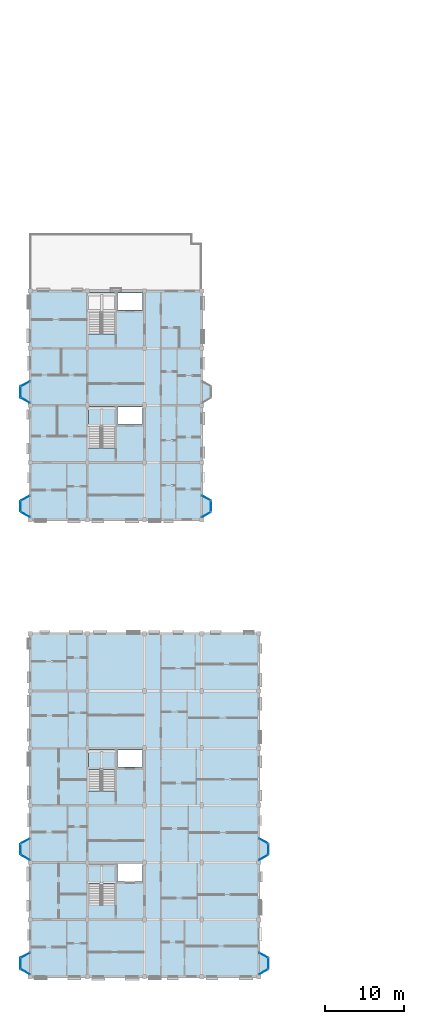
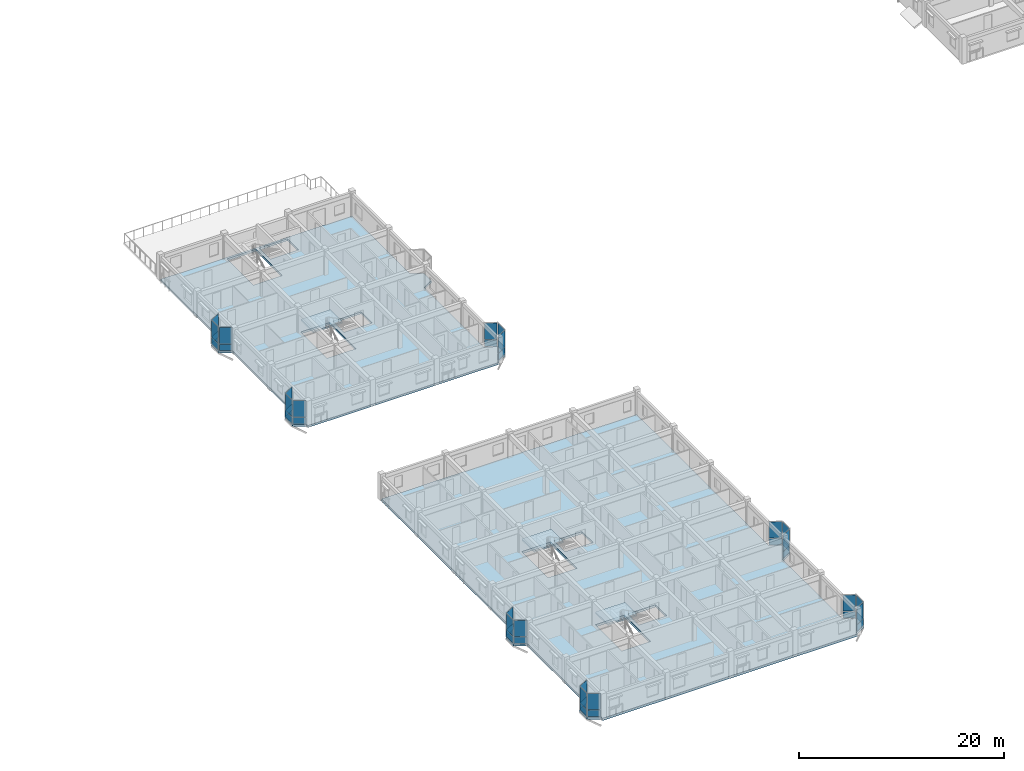
# One storey, part 41 of 75: 42 plates, 5 slabs, 24 elements without a shape of their own.
"""IFC4 building model written with IfcOpenShell, lengths in metres."""

from ifc_helpers import new_model, si_unit, direction, frame, origin, origin_2d, place, context, subcontext, project, spatial, polyline, rectangle, outline, extrude, material, layer, layer_set, type_object, element, aggregate, save


model = new_model("IFC4")

# Units and contexts
model_context = context("Model", 3, precision=1e-05, world=origin(), true_north=direction((0.0, 1.0)))
body_context = subcontext(model_context, "Body", "Model", "MODEL_VIEW")
ifc_project = project(units=[si_unit("LENGTHUNIT", "METRE"), si_unit("AREAUNIT", "SQUARE_METRE"), si_unit("VOLUMEUNIT", "CUBIC_METRE"), si_unit("PLANEANGLEUNIT", "RADIAN"), si_unit("MASSUNIT", "GRAM", prefix="KILO"), si_unit("THERMODYNAMICTEMPERATUREUNIT", "KELVIN"), si_unit("POWERUNIT", "WATT")], contexts=[model_context])

# Site, building, storey
site_placement = place(None, origin())
site = spatial("IfcSite", under=ifc_project, at=site_placement, CompositionType="ELEMENT")
building_placement = place(site_placement, origin())
building = spatial("IfcBuilding", under=site, at=building_placement, Name="Tavuni Mirador Residences", CompositionType="ELEMENT")
storey_placement = place(building_placement, frame((0.0, 0.0, 20.25)))
storey = spatial("IfcBuildingStorey", under=building, at=storey_placement, Name="L06", CompositionType="ELEMENT", Elevation=20.25)

# Curtain wall, plate
ifc_material_1 = material(Name="Anodised aluminium", Category="aluminium")
ifc_layer_1 = layer(ifc_material_1, 0.1650390625, Name="Anodised aluminium", Category="aluminium")
ifc_layer_set_1 = layer_set([ifc_layer_1], Name="Anodised aluminium")
curtain_wall_type_1 = type_object("IfcCurtainWallType", Name="CWT-MIR-A", PredefinedType="NOTDEFINED", material=ifc_layer_set_1)
curtain_wall_1_placement = place(storey_placement, origin())
curtain_wall_1 = element("IfcCurtainWall", 1, at=curtain_wall_1_placement, inside=storey, type_object=curtain_wall_type_1, Name="CW-MIR-A-E2-L06-M1", PredefinedType="NOTDEFINED")
ifc_material_2 = material(Name="Laminated solar-control glass", Category="glass")
ifc_layer_2 = layer(ifc_material_2, 0.02392578125, Name="Laminated solar-control glass", Category="glass")
ifc_layer_set_2 = layer_set([ifc_layer_2], Name="Laminated solar-control glass")
plate_type_1 = type_object("IfcPlateType", Name="CWP-GL24", PredefinedType="CURTAIN_PANEL", material=ifc_layer_set_2)
plate_1_placement = place(storey_placement, frame((33.0, 22.217529296875, 0.8798828125), z_axis=(0.0, 0.0, 1.0), x_axis=(0.868465738194, 0.495749192217, 0.0)))
plate_1 = element("IfcPlate", 2, at=plate_1_placement, type_object=plate_type_1, Name="CW-01 panel 1.2", PredefinedType="CURTAIN_PANEL", context=body_context, shape_type="SweptSolid", body=[
    extrude(rectangle(XDim=1.26171875, YDim=0.02392578125, at=origin_2d()), origin(), (0.0, 0.0, 1.0), 1.929931640625),
])

curtain_wall_2_placement = place(storey_placement, origin())
curtain_wall_2 = element("IfcCurtainWall", 3, at=curtain_wall_2_placement, inside=storey, type_object=curtain_wall_type_1, Name="CW-MIR-A-W2-L06-MF", PredefinedType="NOTDEFINED")
plate_2_placement = place(storey_placement, frame((2.39990234375, 23.27001953125, 0.8798828125), z_axis=(0.0, 0.0, 1.0), x_axis=(0.0, -1.0, 0.0)))
plate_2 = element("IfcPlate", 4, at=plate_2_placement, type_object=plate_type_1, Name="CW-01 panel 1.2", PredefinedType="CURTAIN_PANEL", context=body_context, shape_type="SweptSolid", body=[
    extrude(rectangle(XDim=1.300048828125, YDim=0.02392578125, at=origin_2d()), origin(), (0.0, 0.0, 1.0), 1.929931640625),
])

curtain_wall_3_placement = place(storey_placement, origin())
curtain_wall_3 = element("IfcCurtainWall", 5, at=curtain_wall_3_placement, inside=storey, type_object=curtain_wall_type_1, Name="CW-MIR-A-W1-L06-M2", PredefinedType="NOTDEFINED")
plate_3_placement = place(storey_placement, frame((3.0, 7.8173828125, 0.8798828125), z_axis=(0.0, 0.0, 1.0), x_axis=(0.868465738194, -0.495749192217, 0.0)))
plate_3 = element("IfcPlate", 6, at=plate_3_placement, type_object=plate_type_1, Name="CW-01 panel 1.2", PredefinedType="CURTAIN_PANEL", context=body_context, shape_type="SweptSolid", body=[
    extrude(rectangle(XDim=1.26171875, YDim=0.02392578125, at=origin_2d()), origin(), (0.0, 0.0, 1.0), 1.929931640625),
])

curtain_wall_4_placement = place(storey_placement, origin())
curtain_wall_4 = element("IfcCurtainWall", 7, at=curtain_wall_4_placement, inside=storey, type_object=curtain_wall_type_1, Name="CW-MIR-B-E1-L06-M1", PredefinedType="NOTDEFINED")
plate_4_placement = place(storey_placement, frame((25.800048828125, 65.41748046875, 0.8798828125), z_axis=(0.0, 0.0, 1.0), x_axis=(0.868465738194, 0.495749192217, 0.0)))
plate_4 = element("IfcPlate", 8, at=plate_4_placement, type_object=plate_type_1, Name="CW-01 panel 1.2", PredefinedType="CURTAIN_PANEL", context=body_context, shape_type="SweptSolid", body=[
    extrude(rectangle(XDim=1.26171875, YDim=0.02392578125, at=origin_2d()), origin(), (0.0, 0.0, 1.0), 1.969970703125),
])

curtain_wall_5_placement = place(storey_placement, origin())
curtain_wall_5 = element("IfcCurtainWall", 9, at=curtain_wall_5_placement, inside=storey, type_object=curtain_wall_type_1, Name="CW-MIR-B-W2-L06-M2", PredefinedType="NOTDEFINED")
plate_5_placement = place(storey_placement, frame((3.0, 79.8173828125, 0.8798828125), z_axis=(0.0, 0.0, 1.0), x_axis=(0.868465738194, -0.495749192217, 0.0)))
plate_5 = element("IfcPlate", 10, at=plate_5_placement, type_object=plate_type_1, Name="CW-01 panel 1.2", PredefinedType="CURTAIN_PANEL", context=body_context, shape_type="SweptSolid", body=[
    extrude(rectangle(XDim=1.26171875, YDim=0.02392578125, at=origin_2d()), origin(), (0.0, 0.0, 1.0), 1.969970703125),
])

ifc_layer_3 = layer(ifc_material_1, 0.14990234375, Name="Anodised aluminium", Category="aluminium")
ifc_layer_set_3 = layer_set([ifc_layer_3], Name="Anodised aluminium")
curtain_wall_type_2 = type_object("IfcCurtainWallType", Name="CWT-MIR-B", PredefinedType="NOTDEFINED", material=ifc_layer_set_3)
curtain_wall_6_placement = place(storey_placement, origin())
curtain_wall_6 = element("IfcCurtainWall", 11, at=curtain_wall_6_placement, inside=storey, type_object=curtain_wall_type_2, Name="CW-MIR-A-E1-L06-M1", PredefinedType="NOTDEFINED")
ifc_layer_4 = layer(ifc_material_2, 0.028076171875, Name="Laminated solar-control glass", Category="glass")
ifc_layer_set_4 = layer_set([ifc_layer_4], Name="Laminated solar-control glass")
plate_type_2 = type_object("IfcPlateType", Name="CWP-GL28", PredefinedType="CURTAIN_PANEL", material=ifc_layer_set_4)
plate_6_placement = place(storey_placement, frame((33.0, 7.8173828125, 0.88232421875), z_axis=(0.0, 0.0, 1.0), x_axis=(0.868465738194, 0.495749192217, 0.0)))
plate_6 = element("IfcPlate", 12, at=plate_6_placement, type_object=plate_type_2, Name="CW-02 panel 1.2", PredefinedType="CURTAIN_PANEL", context=body_context, shape_type="SweptSolid", body=[
    extrude(rectangle(XDim=1.251708984375, YDim=0.028076171875, at=origin_2d()), origin(), (0.0, 0.0, 1.0), 1.922607421875),
])

curtain_wall_7_placement = place(storey_placement, origin())
curtain_wall_7 = element("IfcCurtainWall", 13, at=curtain_wall_7_placement, inside=storey, type_object=curtain_wall_type_2, Name="CW-MIR-A-E2-L06-MF", PredefinedType="NOTDEFINED")
plate_7_placement = place(storey_placement, frame((33.60009765625, 23.27001953125, 0.88232421875), z_axis=(0.0, 0.0, 1.0), x_axis=(0.0, 1.0, 0.0)))
plate_7 = element("IfcPlate", 14, at=plate_7_placement, type_object=plate_type_2, Name="CW-02 panel 1.2", PredefinedType="CURTAIN_PANEL", context=body_context, shape_type="SweptSolid", body=[
    extrude(rectangle(XDim=1.2900390625, YDim=0.028076171875, at=origin_2d()), origin(), (0.0, 0.0, 1.0), 1.922607421875),
])

curtain_wall_8_placement = place(storey_placement, origin())
curtain_wall_8 = element("IfcCurtainWall", 15, at=curtain_wall_8_placement, inside=storey, type_object=curtain_wall_type_2, Name="CW-MIR-A-W2-L06-M2", PredefinedType="NOTDEFINED")
plate_8_placement = place(storey_placement, frame((3.0, 22.217529296875, 0.88232421875), z_axis=(0.0, 0.0, 1.0), x_axis=(0.868465738194, -0.495749192217, 0.0)))
plate_8 = element("IfcPlate", 16, at=plate_8_placement, type_object=plate_type_2, Name="CW-02 panel 1.2", PredefinedType="CURTAIN_PANEL", context=body_context, shape_type="SweptSolid", body=[
    extrude(rectangle(XDim=1.251708984375, YDim=0.028076171875, at=origin_2d()), origin(), (0.0, 0.0, 1.0), 1.922607421875),
])

curtain_wall_9_placement = place(storey_placement, origin())
curtain_wall_9 = element("IfcCurtainWall", 17, at=curtain_wall_9_placement, inside=storey, type_object=curtain_wall_type_2, Name="CW-MIR-B-E1-L06-MF", PredefinedType="NOTDEFINED")
plate_9_placement = place(storey_placement, frame((26.39990234375, 66.469970703125, 0.882568359375), z_axis=(0.0, 0.0, 1.0), x_axis=(0.0, 1.0, 0.0)))
plate_9 = element("IfcPlate", 18, at=plate_9_placement, type_object=plate_type_2, Name="CW-02 panel 1.2", PredefinedType="CURTAIN_PANEL", context=body_context, shape_type="SweptSolid", body=[
    extrude(rectangle(XDim=1.2900390625, YDim=0.028076171875, at=origin_2d()), origin(), (0.0, 0.0, 1.0), 1.96240234375),
])

curtain_wall_10_placement = place(storey_placement, origin())
curtain_wall_10 = element("IfcCurtainWall", 19, at=curtain_wall_10_placement, inside=storey, type_object=curtain_wall_type_2, Name="CW-MIR-B-W1-L06-M1", PredefinedType="NOTDEFINED")
plate_10_placement = place(storey_placement, frame((3.0, 67.5, 0.882568359375), z_axis=(0.0, 0.0, 1.0), x_axis=(-0.882352941175, -0.470588235296, 0.0)))
plate_10 = element("IfcPlate", 20, at=plate_10_placement, type_object=plate_type_2, Name="CW-02 panel 1.2", PredefinedType="CURTAIN_PANEL", context=body_context, shape_type="SweptSolid", body=[
    extrude(rectangle(XDim=1.22998046875, YDim=0.028076171875, at=origin_2d()), origin(), (0.0, 0.0, 1.0), 1.96240234375),
])

ifc_layer_5 = layer(ifc_material_1, 0.175048828125, Name="Anodised aluminium", Category="aluminium")
ifc_layer_set_5 = layer_set([ifc_layer_5], Name="Anodised aluminium")
curtain_wall_type_3 = type_object("IfcCurtainWallType", Name="CWT-MIR-C", PredefinedType="NOTDEFINED", material=ifc_layer_set_5)
curtain_wall_11_placement = place(storey_placement, origin())
curtain_wall_11 = element("IfcCurtainWall", 21, at=curtain_wall_11_placement, inside=storey, type_object=curtain_wall_type_3, Name="CW-MIR-A-E1-L06-MF", PredefinedType="NOTDEFINED")
ifc_layer_6 = layer(ifc_material_2, 0.031982421875, Name="Laminated solar-control glass", Category="glass")
ifc_layer_set_6 = layer_set([ifc_layer_6], Name="Laminated solar-control glass")
plate_type_3 = type_object("IfcPlateType", Name="CWP-GL32", PredefinedType="CURTAIN_PANEL", material=ifc_layer_set_6)
plate_11_placement = place(storey_placement, frame((33.60009765625, 8.8701171875, 0.8798828125), z_axis=(0.0, 0.0, 1.0), x_axis=(0.0, 1.0, 0.0)))
plate_11 = element("IfcPlate", 22, at=plate_11_placement, type_object=plate_type_3, Name="CW-03 panel 1.2", PredefinedType="CURTAIN_PANEL", context=body_context, shape_type="SweptSolid", body=[
    extrude(rectangle(XDim=1.300048828125, YDim=0.031982421875, at=origin_2d()), origin(), (0.0, 0.0, 1.0), 1.929931640625),
])

curtain_wall_12_placement = place(storey_placement, origin())
curtain_wall_12 = element("IfcCurtainWall", 23, at=curtain_wall_12_placement, inside=storey, type_object=curtain_wall_type_3, Name="CW-MIR-A-E2-L06-M2", PredefinedType="NOTDEFINED")
plate_12_placement = place(storey_placement, frame((33.0, 24.300048828125, 0.8798828125), z_axis=(0.0, 0.0, 1.0), x_axis=(-0.882352941175, 0.470588235296, 0.0)))
plate_12 = element("IfcPlate", 24, at=plate_12_placement, type_object=plate_type_3, Name="CW-03 panel 1.2", PredefinedType="CURTAIN_PANEL", context=body_context, shape_type="SweptSolid", body=[
    extrude(rectangle(XDim=1.239990234375, YDim=0.031982421875, at=origin_2d()), origin(), (0.0, 0.0, 1.0), 1.929931640625),
])

curtain_wall_13_placement = place(storey_placement, origin())
curtain_wall_13 = element("IfcCurtainWall", 25, at=curtain_wall_13_placement, inside=storey, type_object=curtain_wall_type_3, Name="CW-MIR-A-W1-L06-M1", PredefinedType="NOTDEFINED")
plate_13_placement = place(storey_placement, frame((3.0, 9.89990234375, 0.8798828125), z_axis=(0.0, 0.0, 1.0), x_axis=(-0.882352941175, -0.470588235296, 0.0)))
plate_13 = element("IfcPlate", 26, at=plate_13_placement, type_object=plate_type_3, Name="CW-03 panel 1.2", PredefinedType="CURTAIN_PANEL", context=body_context, shape_type="SweptSolid", body=[
    extrude(rectangle(XDim=1.239990234375, YDim=0.031982421875, at=origin_2d()), origin(), (0.0, 0.0, 1.0), 1.929931640625),
])

curtain_wall_14_placement = place(storey_placement, origin())
curtain_wall_14 = element("IfcCurtainWall", 27, at=curtain_wall_14_placement, inside=storey, type_object=curtain_wall_type_3, Name="CW-MIR-B-E1-L06-M2", PredefinedType="NOTDEFINED")
plate_14_placement = place(storey_placement, frame((25.800048828125, 67.5, 0.8798828125), z_axis=(0.0, 0.0, 1.0), x_axis=(-0.882352941175, 0.470588235296, 0.0)))
plate_14 = element("IfcPlate", 28, at=plate_14_placement, type_object=plate_type_3, Name="CW-03 panel 1.2", PredefinedType="CURTAIN_PANEL", context=body_context, shape_type="SweptSolid", body=[
    extrude(rectangle(XDim=1.239990234375, YDim=0.031982421875, at=origin_2d()), origin(), (0.0, 0.0, 1.0), 1.969970703125),
])

curtain_wall_15_placement = place(storey_placement, origin())
curtain_wall_15 = element("IfcCurtainWall", 29, at=curtain_wall_15_placement, inside=storey, type_object=curtain_wall_type_3, Name="CW-MIR-B-W2-L06-M1", PredefinedType="NOTDEFINED")
plate_15_placement = place(storey_placement, frame((3.0, 81.89990234375, 0.8798828125), z_axis=(0.0, 0.0, 1.0), x_axis=(-0.882352941175, -0.470588235296, 0.0)))
plate_15 = element("IfcPlate", 30, at=plate_15_placement, type_object=plate_type_3, Name="CW-03 panel 1.2", PredefinedType="CURTAIN_PANEL", context=body_context, shape_type="SweptSolid", body=[
    extrude(rectangle(XDim=1.239990234375, YDim=0.031982421875, at=origin_2d()), origin(), (0.0, 0.0, 1.0), 1.969970703125),
])

curtain_wall_16_placement = place(storey_placement, origin())
curtain_wall_16 = element("IfcCurtainWall", 31, at=curtain_wall_16_placement, inside=storey, type_object=curtain_wall_type_3, Name="CW-MIR-B-W1-L06-MF", PredefinedType="NOTDEFINED")
plate_16_placement = place(storey_placement, frame((2.39990234375, 66.469970703125, 0.8798828125), z_axis=(0.0, 0.0, 1.0), x_axis=(0.0, -1.0, 0.0)))
plate_16 = element("IfcPlate", 32, at=plate_16_placement, type_object=plate_type_3, Name="CW-03 panel 1.2", PredefinedType="CURTAIN_PANEL", context=body_context, shape_type="SweptSolid", body=[
    extrude(rectangle(XDim=1.300048828125, YDim=0.031982421875, at=origin_2d()), origin(), (0.0, 0.0, 1.0), 1.969970703125),
])

ifc_layer_7 = layer(ifc_material_1, 0.159912109375, Name="Anodised aluminium", Category="aluminium")
ifc_layer_set_7 = layer_set([ifc_layer_7], Name="Anodised aluminium")
curtain_wall_type_4 = type_object("IfcCurtainWallType", Name="CWT-MIR-D", PredefinedType="NOTDEFINED", material=ifc_layer_set_7)
curtain_wall_17_placement = place(storey_placement, origin())
curtain_wall_17 = element("IfcCurtainWall", 33, at=curtain_wall_17_placement, inside=storey, type_object=curtain_wall_type_4, Name="CW-MIR-A-E1-L06-M2", PredefinedType="NOTDEFINED")
ifc_layer_8 = layer(ifc_material_2, 0.035888671875, Name="Laminated solar-control glass", Category="glass")
ifc_layer_set_8 = layer_set([ifc_layer_8], Name="Laminated solar-control glass")
plate_type_4 = type_object("IfcPlateType", Name="CWP-GL36", PredefinedType="CURTAIN_PANEL", material=ifc_layer_set_8)
plate_17_placement = place(storey_placement, frame((33.0, 9.89990234375, 0.88232421875), z_axis=(0.0, 0.0, 1.0), x_axis=(-0.882352941175, 0.470588235296, 0.0)))
plate_17 = element("IfcPlate", 34, at=plate_17_placement, type_object=plate_type_4, Name="CW-04 panel 1.2", PredefinedType="CURTAIN_PANEL", context=body_context, shape_type="SweptSolid", body=[
    extrude(rectangle(XDim=1.22998046875, YDim=0.035888671875, at=origin_2d()), origin(), (0.0, 0.0, 1.0), 1.922607421875),
])

curtain_wall_18_placement = place(storey_placement, origin())
curtain_wall_18 = element("IfcCurtainWall", 35, at=curtain_wall_18_placement, inside=storey, type_object=curtain_wall_type_4, Name="CW-MIR-A-W2-L06-M1", PredefinedType="NOTDEFINED")
plate_18_placement = place(storey_placement, frame((3.0, 24.300048828125, 0.88232421875), z_axis=(0.0, 0.0, 1.0), x_axis=(-0.882352941175, -0.470588235296, 0.0)))
plate_18 = element("IfcPlate", 36, at=plate_18_placement, type_object=plate_type_4, Name="CW-04 panel 1.2", PredefinedType="CURTAIN_PANEL", context=body_context, shape_type="SweptSolid", body=[
    extrude(rectangle(XDim=1.22998046875, YDim=0.035888671875, at=origin_2d()), origin(), (0.0, 0.0, 1.0), 1.922607421875),
])

curtain_wall_19_placement = place(storey_placement, origin())
curtain_wall_19 = element("IfcCurtainWall", 37, at=curtain_wall_19_placement, inside=storey, type_object=curtain_wall_type_4, Name="CW-MIR-A-W1-L06-MF", PredefinedType="NOTDEFINED")
plate_19_placement = place(storey_placement, frame((2.39990234375, 8.8701171875, 0.88232421875), z_axis=(0.0, 0.0, 1.0), x_axis=(0.0, -1.0, 0.0)))
plate_19 = element("IfcPlate", 38, at=plate_19_placement, type_object=plate_type_4, Name="CW-04 panel 1.2", PredefinedType="CURTAIN_PANEL", context=body_context, shape_type="SweptSolid", body=[
    extrude(rectangle(XDim=1.2900390625, YDim=0.035888671875, at=origin_2d()), origin(), (0.0, 0.0, 1.0), 1.922607421875),
])

curtain_wall_20_placement = place(storey_placement, origin())
curtain_wall_20 = element("IfcCurtainWall", 39, at=curtain_wall_20_placement, inside=storey, type_object=curtain_wall_type_4, Name="CW-MIR-B-W2-L06-MF", PredefinedType="NOTDEFINED")
plate_20_placement = place(storey_placement, frame((2.39990234375, 80.8701171875, 0.882568359375), z_axis=(0.0, 0.0, 1.0), x_axis=(0.0, -1.0, 0.0)))
plate_20 = element("IfcPlate", 40, at=plate_20_placement, type_object=plate_type_4, Name="CW-04 panel 1.2", PredefinedType="CURTAIN_PANEL", context=body_context, shape_type="SweptSolid", body=[
    extrude(rectangle(XDim=1.2900390625, YDim=0.035888671875, at=origin_2d()), origin(), (0.0, 0.0, 1.0), 1.96240234375),
])

curtain_wall_21_placement = place(storey_placement, origin())
curtain_wall_21 = element("IfcCurtainWall", 41, at=curtain_wall_21_placement, inside=storey, type_object=curtain_wall_type_4, Name="CW-MIR-B-W1-L06-M2", PredefinedType="NOTDEFINED")
plate_21_placement = place(storey_placement, frame((3.0, 65.41748046875, 0.882568359375), z_axis=(0.0, 0.0, 1.0), x_axis=(0.868465738194, -0.495749192217, 0.0)))
plate_21 = element("IfcPlate", 42, at=plate_21_placement, type_object=plate_type_4, Name="CW-04 panel 1.2", PredefinedType="CURTAIN_PANEL", context=body_context, shape_type="SweptSolid", body=[
    extrude(rectangle(XDim=1.251708984375, YDim=0.035888671875, at=origin_2d()), origin(), (0.0, 0.0, 1.0), 1.96240234375),
])

# Plate
ifc_material_3 = material(Name="Ceramic trencadis mosaic panel", Category="masonry")
ifc_layer_9 = layer(ifc_material_3, 0.0419921875, Name="Ceramic trencadis mosaic panel", Category="masonry")
ifc_layer_set_9 = layer_set([ifc_layer_9], Name="Ceramic trencadis mosaic panel")
plate_type_5 = type_object("IfcPlateType", Name="CWP-SP42", PredefinedType="CURTAIN_PANEL", material=ifc_layer_set_9)
plate_22_placement = place(storey_placement, frame((33.60009765625, 8.8701171875, 0.06005859375), z_axis=(0.0, 0.0, 1.0), x_axis=(0.0, 1.0, 0.0)))
plate_22 = element("IfcPlate", 43, at=plate_22_placement, type_object=plate_type_5, Name="CW-03 panel 1.1", PredefinedType="CURTAIN_PANEL", context=body_context, shape_type="SweptSolid", body=[
    extrude(rectangle(XDim=1.300048828125, YDim=0.0419921875, at=origin_2d()), origin(), (0.0, 0.0, 1.0), 0.760009765625),
])

aggregate(curtain_wall_11, [plate_22, plate_11])

plate_23_placement = place(storey_placement, frame((33.0, 22.217529296875, 0.06005859375), z_axis=(0.0, 0.0, 1.0), x_axis=(0.868465738194, 0.495749192217, 0.0)))
plate_23 = element("IfcPlate", 44, at=plate_23_placement, type_object=plate_type_5, Name="CW-01 panel 1.1", PredefinedType="CURTAIN_PANEL", context=body_context, shape_type="SweptSolid", body=[
    extrude(rectangle(XDim=1.26171875, YDim=0.0419921875, at=origin_2d()), origin(), (0.0, 0.0, 1.0), 0.760009765625),
])

aggregate(curtain_wall_1, [plate_23, plate_1])

plate_24_placement = place(storey_placement, frame((33.0, 24.300048828125, 0.06005859375), z_axis=(0.0, 0.0, 1.0), x_axis=(-0.882352941175, 0.470588235296, 0.0)))
plate_24 = element("IfcPlate", 45, at=plate_24_placement, type_object=plate_type_5, Name="CW-03 panel 1.1", PredefinedType="CURTAIN_PANEL", context=body_context, shape_type="SweptSolid", body=[
    extrude(rectangle(XDim=1.239990234375, YDim=0.0419921875, at=origin_2d()), origin(), (0.0, 0.0, 1.0), 0.760009765625),
])

aggregate(curtain_wall_12, [plate_24, plate_12])

plate_25_placement = place(storey_placement, frame((2.39990234375, 23.27001953125, 0.06005859375), z_axis=(0.0, 0.0, 1.0), x_axis=(0.0, -1.0, 0.0)))
plate_25 = element("IfcPlate", 46, at=plate_25_placement, type_object=plate_type_5, Name="CW-01 panel 1.1", PredefinedType="CURTAIN_PANEL", context=body_context, shape_type="SweptSolid", body=[
    extrude(rectangle(XDim=1.300048828125, YDim=0.0419921875, at=origin_2d()), origin(), (0.0, 0.0, 1.0), 0.760009765625),
])

aggregate(curtain_wall_2, [plate_25, plate_2])

plate_26_placement = place(storey_placement, frame((3.0, 9.89990234375, 0.06005859375), z_axis=(0.0, 0.0, 1.0), x_axis=(-0.882352941175, -0.470588235296, 0.0)))
plate_26 = element("IfcPlate", 47, at=plate_26_placement, type_object=plate_type_5, Name="CW-03 panel 1.1", PredefinedType="CURTAIN_PANEL", context=body_context, shape_type="SweptSolid", body=[
    extrude(rectangle(XDim=1.239990234375, YDim=0.0419921875, at=origin_2d()), origin(), (0.0, 0.0, 1.0), 0.760009765625),
])

aggregate(curtain_wall_13, [plate_26, plate_13])

plate_27_placement = place(storey_placement, frame((3.0, 7.8173828125, 0.06005859375), z_axis=(0.0, 0.0, 1.0), x_axis=(0.868465738194, -0.495749192217, 0.0)))
plate_27 = element("IfcPlate", 48, at=plate_27_placement, type_object=plate_type_5, Name="CW-01 panel 1.1", PredefinedType="CURTAIN_PANEL", context=body_context, shape_type="SweptSolid", body=[
    extrude(rectangle(XDim=1.26171875, YDim=0.0419921875, at=origin_2d()), origin(), (0.0, 0.0, 1.0), 0.760009765625),
])

aggregate(curtain_wall_3, [plate_27, plate_3])

plate_28_placement = place(storey_placement, frame((25.800048828125, 65.41748046875, 0.06005859375), z_axis=(0.0, 0.0, 1.0), x_axis=(0.868465738194, 0.495749192217, 0.0)))
plate_28 = element("IfcPlate", 49, at=plate_28_placement, type_object=plate_type_5, Name="CW-01 panel 1.1", PredefinedType="CURTAIN_PANEL", context=body_context, shape_type="SweptSolid", body=[
    extrude(rectangle(XDim=1.26171875, YDim=0.0419921875, at=origin_2d()), origin(), (0.0, 0.0, 1.0), 0.760009765625),
])

aggregate(curtain_wall_4, [plate_28, plate_4])

plate_29_placement = place(storey_placement, frame((25.800048828125, 67.5, 0.06005859375), z_axis=(0.0, 0.0, 1.0), x_axis=(-0.882352941175, 0.470588235296, 0.0)))
plate_29 = element("IfcPlate", 50, at=plate_29_placement, type_object=plate_type_5, Name="CW-03 panel 1.1", PredefinedType="CURTAIN_PANEL", context=body_context, shape_type="SweptSolid", body=[
    extrude(rectangle(XDim=1.239990234375, YDim=0.0419921875, at=origin_2d()), origin(), (0.0, 0.0, 1.0), 0.760009765625),
])

aggregate(curtain_wall_14, [plate_29, plate_14])

plate_30_placement = place(storey_placement, frame((3.0, 81.89990234375, 0.06005859375), z_axis=(0.0, 0.0, 1.0), x_axis=(-0.882352941175, -0.470588235296, 0.0)))
plate_30 = element("IfcPlate", 51, at=plate_30_placement, type_object=plate_type_5, Name="CW-03 panel 1.1", PredefinedType="CURTAIN_PANEL", context=body_context, shape_type="SweptSolid", body=[
    extrude(rectangle(XDim=1.239990234375, YDim=0.0419921875, at=origin_2d()), origin(), (0.0, 0.0, 1.0), 0.760009765625),
])

aggregate(curtain_wall_15, [plate_30, plate_15])

plate_31_placement = place(storey_placement, frame((3.0, 79.8173828125, 0.06005859375), z_axis=(0.0, 0.0, 1.0), x_axis=(0.868465738194, -0.495749192217, 0.0)))
plate_31 = element("IfcPlate", 52, at=plate_31_placement, type_object=plate_type_5, Name="CW-01 panel 1.1", PredefinedType="CURTAIN_PANEL", context=body_context, shape_type="SweptSolid", body=[
    extrude(rectangle(XDim=1.26171875, YDim=0.0419921875, at=origin_2d()), origin(), (0.0, 0.0, 1.0), 0.760009765625),
])

aggregate(curtain_wall_5, [plate_31, plate_5])

plate_32_placement = place(storey_placement, frame((2.39990234375, 66.469970703125, 0.06005859375), z_axis=(0.0, 0.0, 1.0), x_axis=(0.0, -1.0, 0.0)))
plate_32 = element("IfcPlate", 53, at=plate_32_placement, type_object=plate_type_5, Name="CW-03 panel 1.1", PredefinedType="CURTAIN_PANEL", context=body_context, shape_type="SweptSolid", body=[
    extrude(rectangle(XDim=1.300048828125, YDim=0.0419921875, at=origin_2d()), origin(), (0.0, 0.0, 1.0), 0.760009765625),
])

aggregate(curtain_wall_16, [plate_32, plate_16])

ifc_layer_10 = layer(ifc_material_3, 0.048095703125, Name="Ceramic trencadis mosaic panel", Category="masonry")
ifc_layer_set_10 = layer_set([ifc_layer_10], Name="Ceramic trencadis mosaic panel")
plate_type_6 = type_object("IfcPlateType", Name="CWP-SP48", PredefinedType="CURTAIN_PANEL", material=ifc_layer_set_10)
plate_33_placement = place(storey_placement, frame((33.0, 7.8173828125, 0.06494140625), z_axis=(0.0, 0.0, 1.0), x_axis=(0.868465738194, 0.495749192217, 0.0)))
plate_33 = element("IfcPlate", 54, at=plate_33_placement, type_object=plate_type_6, Name="CW-02 panel 1.1", PredefinedType="CURTAIN_PANEL", context=body_context, shape_type="SweptSolid", body=[
    extrude(rectangle(XDim=1.251708984375, YDim=0.048095703125, at=origin_2d()), origin(), (0.0, 0.0, 1.0), 0.75244140625),
])

aggregate(curtain_wall_6, [plate_33, plate_6])

plate_34_placement = place(storey_placement, frame((33.0, 9.89990234375, 0.06494140625), z_axis=(0.0, 0.0, 1.0), x_axis=(-0.882352941175, 0.470588235296, 0.0)))
plate_34 = element("IfcPlate", 55, at=plate_34_placement, type_object=plate_type_6, Name="CW-04 panel 1.1", PredefinedType="CURTAIN_PANEL", context=body_context, shape_type="SweptSolid", body=[
    extrude(rectangle(XDim=1.22998046875, YDim=0.048095703125, at=origin_2d()), origin(), (0.0, 0.0, 1.0), 0.75244140625),
])

aggregate(curtain_wall_17, [plate_34, plate_17])

plate_35_placement = place(storey_placement, frame((33.60009765625, 23.27001953125, 0.06494140625), z_axis=(0.0, 0.0, 1.0), x_axis=(0.0, 1.0, 0.0)))
plate_35 = element("IfcPlate", 56, at=plate_35_placement, type_object=plate_type_6, Name="CW-02 panel 1.1", PredefinedType="CURTAIN_PANEL", context=body_context, shape_type="SweptSolid", body=[
    extrude(rectangle(XDim=1.2900390625, YDim=0.048095703125, at=origin_2d()), origin(), (0.0, 0.0, 1.0), 0.75244140625),
])

aggregate(curtain_wall_7, [plate_35, plate_7])

plate_36_placement = place(storey_placement, frame((3.0, 24.300048828125, 0.06494140625), z_axis=(0.0, 0.0, 1.0), x_axis=(-0.882352941175, -0.470588235296, 0.0)))
plate_36 = element("IfcPlate", 57, at=plate_36_placement, type_object=plate_type_6, Name="CW-04 panel 1.1", PredefinedType="CURTAIN_PANEL", context=body_context, shape_type="SweptSolid", body=[
    extrude(rectangle(XDim=1.22998046875, YDim=0.048095703125, at=origin_2d()), origin(), (0.0, 0.0, 1.0), 0.75244140625),
])

aggregate(curtain_wall_18, [plate_36, plate_18])

plate_37_placement = place(storey_placement, frame((3.0, 22.217529296875, 0.06494140625), z_axis=(0.0, 0.0, 1.0), x_axis=(0.868465738194, -0.495749192217, 0.0)))
plate_37 = element("IfcPlate", 58, at=plate_37_placement, type_object=plate_type_6, Name="CW-02 panel 1.1", PredefinedType="CURTAIN_PANEL", context=body_context, shape_type="SweptSolid", body=[
    extrude(rectangle(XDim=1.251708984375, YDim=0.048095703125, at=origin_2d()), origin(), (0.0, 0.0, 1.0), 0.75244140625),
])

aggregate(curtain_wall_8, [plate_37, plate_8])

plate_38_placement = place(storey_placement, frame((2.39990234375, 8.8701171875, 0.06494140625), z_axis=(0.0, 0.0, 1.0), x_axis=(0.0, -1.0, 0.0)))
plate_38 = element("IfcPlate", 59, at=plate_38_placement, type_object=plate_type_6, Name="CW-04 panel 1.1", PredefinedType="CURTAIN_PANEL", context=body_context, shape_type="SweptSolid", body=[
    extrude(rectangle(XDim=1.2900390625, YDim=0.048095703125, at=origin_2d()), origin(), (0.0, 0.0, 1.0), 0.75244140625),
])

aggregate(curtain_wall_19, [plate_38, plate_19])

plate_39_placement = place(storey_placement, frame((26.39990234375, 66.469970703125, 0.06494140625), z_axis=(0.0, 0.0, 1.0), x_axis=(0.0, 1.0, 0.0)))
plate_39 = element("IfcPlate", 60, at=plate_39_placement, type_object=plate_type_6, Name="CW-02 panel 1.1", PredefinedType="CURTAIN_PANEL", context=body_context, shape_type="SweptSolid", body=[
    extrude(rectangle(XDim=1.2900390625, YDim=0.048095703125, at=origin_2d()), origin(), (0.0, 0.0, 1.0), 0.75244140625),
])

aggregate(curtain_wall_9, [plate_39, plate_9])

plate_40_placement = place(storey_placement, frame((2.39990234375, 80.8701171875, 0.06494140625), z_axis=(0.0, 0.0, 1.0), x_axis=(0.0, -1.0, 0.0)))
plate_40 = element("IfcPlate", 61, at=plate_40_placement, type_object=plate_type_6, Name="CW-04 panel 1.1", PredefinedType="CURTAIN_PANEL", context=body_context, shape_type="SweptSolid", body=[
    extrude(rectangle(XDim=1.2900390625, YDim=0.048095703125, at=origin_2d()), origin(), (0.0, 0.0, 1.0), 0.75244140625),
])

aggregate(curtain_wall_20, [plate_40, plate_20])

plate_41_placement = place(storey_placement, frame((3.0, 67.5, 0.06494140625), z_axis=(0.0, 0.0, 1.0), x_axis=(-0.882352941175, -0.470588235296, 0.0)))
plate_41 = element("IfcPlate", 62, at=plate_41_placement, type_object=plate_type_6, Name="CW-02 panel 1.1", PredefinedType="CURTAIN_PANEL", context=body_context, shape_type="SweptSolid", body=[
    extrude(rectangle(XDim=1.22998046875, YDim=0.048095703125, at=origin_2d()), origin(), (0.0, 0.0, 1.0), 0.75244140625),
])

aggregate(curtain_wall_10, [plate_41, plate_10])

plate_42_placement = place(storey_placement, frame((3.0, 65.41748046875, 0.06494140625), z_axis=(0.0, 0.0, 1.0), x_axis=(0.868465738194, -0.495749192217, 0.0)))
plate_42 = element("IfcPlate", 63, at=plate_42_placement, type_object=plate_type_6, Name="CW-04 panel 1.1", PredefinedType="CURTAIN_PANEL", context=body_context, shape_type="SweptSolid", body=[
    extrude(rectangle(XDim=1.251708984375, YDim=0.048095703125, at=origin_2d()), origin(), (0.0, 0.0, 1.0), 0.75244140625),
])

aggregate(curtain_wall_21, [plate_42, plate_21])

# Slabs
ifc_material_4 = material(Name="Prestressed concrete C45/55", Category="concrete")
ifc_layer_11 = layer(ifc_material_4, 0.239990234375, Name="Prestressed concrete C45/55", Category="concrete")
ifc_layer_set_11 = layer_set([ifc_layer_11], Name="Prestressed concrete C45/55")
slab_type_1 = type_object("IfcSlabType", Name="SLT-FLR240", PredefinedType="FLOOR", material=ifc_layer_set_11)
slab_1_placement = place(storey_placement, frame((0.0, 0.0, -0.239990234375)))
element("IfcSlab", 64, at=slab_1_placement, inside=storey, type_object=slab_type_1, Name="SLB-BLK-B-L06", PredefinedType="FLOOR", context=body_context, shape_type="SweptSolid", body=[
    extrude(outline(polyline([(3.60009765625, 64.800048828125), (25.199951171875, 64.800048828125), (25.199951171875, 65.074951171875), (26.39990234375, 65.760009765625), (26.39990234375, 67.179931640625), (25.199951171875, 67.820068359375), (25.199951171875, 79.47509765625), (26.39990234375, 80.159912109375), (26.39990234375, 81.580078125), (25.199951171875, 82.219970703125), (25.199951171875, 93.60009765625), (3.60009765625, 93.60009765625), (3.60009765625, 82.219970703125), (2.39990234375, 81.580078125), (2.39990234375, 80.159912109375), (3.60009765625, 79.47509765625), (3.60009765625, 67.820068359375), (2.39990234375, 67.179931640625), (2.39990234375, 65.760009765625), (3.60009765625, 65.074951171875), (3.60009765625, 64.800048828125)]), holes=[polyline([(10.9599609375, 73.80810546875), (14.239990234375, 73.80810546875), (14.239990234375, 78.9599609375), (10.9599609375, 78.9599609375), (10.9599609375, 73.80810546875)]), polyline([(14.6201171875, 76.820068359375), (17.780029296875, 76.820068359375), (17.780029296875, 78.97998046875), (14.6201171875, 78.97998046875), (14.6201171875, 76.820068359375)]), polyline([(10.9599609375, 88.2080078125), (14.239990234375, 88.2080078125), (14.239990234375, 93.360107421875), (10.9599609375, 93.360107421875), (10.9599609375, 88.2080078125)]), polyline([(14.6201171875, 91.219970703125), (17.780029296875, 91.219970703125), (17.780029296875, 93.3798828125), (14.6201171875, 93.3798828125), (14.6201171875, 91.219970703125)])]), origin(), (0.0, 0.0, 1.0), 0.239990234375),
])
ifc_layer_12 = layer(ifc_material_4, 0.280029296875, Name="Prestressed concrete C45/55", Category="concrete")
ifc_layer_set_12 = layer_set([ifc_layer_12], Name="Prestressed concrete C45/55")
slab_type_2 = type_object("IfcSlabType", Name="SLT-FLR280", PredefinedType="FLOOR", material=ifc_layer_set_12)
slab_2_placement = place(storey_placement, frame((0.0, 0.0, -0.280029296875)))
element("IfcSlab", 65, at=slab_2_placement, inside=storey, type_object=slab_type_2, Name="SLB-BLK-A-L06", PredefinedType="FLOOR", context=body_context, shape_type="SweptSolid", body=[
    extrude(outline(polyline([(3.60009765625, 7.199951171875), (32.39990234375, 7.199951171875), (32.39990234375, 7.47509765625), (33.60009765625, 8.159912109375), (33.60009765625, 9.580078125), (32.39990234375, 10.219970703125), (32.39990234375, 21.875), (33.60009765625, 22.56005859375), (33.60009765625, 23.97998046875), (32.39990234375, 24.6201171875), (32.39990234375, 50.39990234375), (3.60009765625, 50.39990234375), (3.60009765625, 24.6201171875), (2.39990234375, 23.97998046875), (2.39990234375, 22.56005859375), (3.60009765625, 21.875), (3.60009765625, 10.219970703125), (2.39990234375, 9.580078125), (2.39990234375, 8.159912109375), (3.60009765625, 7.47509765625), (3.60009765625, 7.199951171875)]), holes=[polyline([(10.9599609375, 16.2080078125), (14.239990234375, 16.2080078125), (14.239990234375, 21.360107421875), (10.9599609375, 21.360107421875), (10.9599609375, 16.2080078125)]), polyline([(14.6201171875, 19.219970703125), (17.780029296875, 19.219970703125), (17.780029296875, 21.3798828125), (14.6201171875, 21.3798828125), (14.6201171875, 19.219970703125)]), polyline([(10.9599609375, 30.60791015625), (14.239990234375, 30.60791015625), (14.239990234375, 35.760009765625), (10.9599609375, 35.760009765625), (10.9599609375, 30.60791015625)]), polyline([(14.6201171875, 33.6201171875), (17.780029296875, 33.6201171875), (17.780029296875, 35.780029296875), (14.6201171875, 35.780029296875), (14.6201171875, 33.6201171875)])]), origin(), (0.0, 0.0, 1.0), 0.280029296875),
])

# Stair, slab
ifc_material_5 = material(Name="Precast concrete C40/50", Category="concrete")
stair_type = type_object("IfcStairType", Name="STT-TYP", PredefinedType="HALF_TURN_STAIR", material=ifc_material_5)
stair_1_placement = place(storey_placement, origin())
stair_1 = element("IfcStair", 66, at=stair_1_placement, inside=storey, type_object=stair_type, Name="Protected exit stair ST1 (L06)", PredefinedType="HALF_TURN_STAIR")
ifc_layer_13 = layer(ifc_material_5, 0.179931640625, Name="Precast concrete C40/50", Category="concrete")
ifc_layer_set_13 = layer_set([ifc_layer_13], Name="Precast concrete C40/50")
slab_type_3 = type_object("IfcSlabType", Name="SLT-LND180", PredefinedType="LANDING", material=ifc_layer_set_13)
slab_3_placement = place(storey_placement, frame((0.0, 0.0, 1.39501953125)))
slab_3 = element("IfcSlab", 67, at=slab_3_placement, type_object=slab_type_3, Name="ST1 landing 1", PredefinedType="LANDING", context=body_context, shape_type="SweptSolid", body=[
    extrude(outline(polyline([(10.93994140625, 18.89208984375), (14.260009765625, 18.89208984375), (14.260009765625, 21.300048828125), (10.93994140625, 21.300048828125), (10.93994140625, 18.89208984375)])), origin(), (0.0, 0.0, 1.0), 0.179931640625),
])
aggregate(stair_1, [slab_3])

stair_2_placement = place(storey_placement, origin())
stair_2 = element("IfcStair", 68, at=stair_2_placement, inside=storey, type_object=stair_type, Name="Protected exit stair ST2 (L06)", PredefinedType="HALF_TURN_STAIR")
slab_4_placement = place(storey_placement, frame((0.0, 0.0, 1.39501953125)))
slab_4 = element("IfcSlab", 69, at=slab_4_placement, type_object=slab_type_3, Name="ST2 landing 1", PredefinedType="LANDING", context=body_context, shape_type="SweptSolid", body=[
    extrude(outline(polyline([(10.93994140625, 33.2919921875), (14.260009765625, 33.2919921875), (14.260009765625, 35.699951171875), (10.93994140625, 35.699951171875), (10.93994140625, 33.2919921875)])), origin(), (0.0, 0.0, 1.0), 0.179931640625),
])
aggregate(stair_2, [slab_4])

stair_3_placement = place(storey_placement, origin())
stair_3 = element("IfcStair", 70, at=stair_3_placement, inside=storey, type_object=stair_type, Name="Protected exit stair ST3 (L06)", PredefinedType="HALF_TURN_STAIR")
slab_5_placement = place(storey_placement, frame((0.0, 0.0, 1.39501953125)))
slab_5 = element("IfcSlab", 71, at=slab_5_placement, type_object=slab_type_3, Name="ST3 landing 1", PredefinedType="LANDING", context=body_context, shape_type="SweptSolid", body=[
    extrude(outline(polyline([(10.93994140625, 76.491943359375), (14.260009765625, 76.491943359375), (14.260009765625, 78.89990234375), (10.93994140625, 78.89990234375), (10.93994140625, 76.491943359375)])), origin(), (0.0, 0.0, 1.0), 0.179931640625),
])
aggregate(stair_3, [slab_5])

save(model, "model.ifc")
